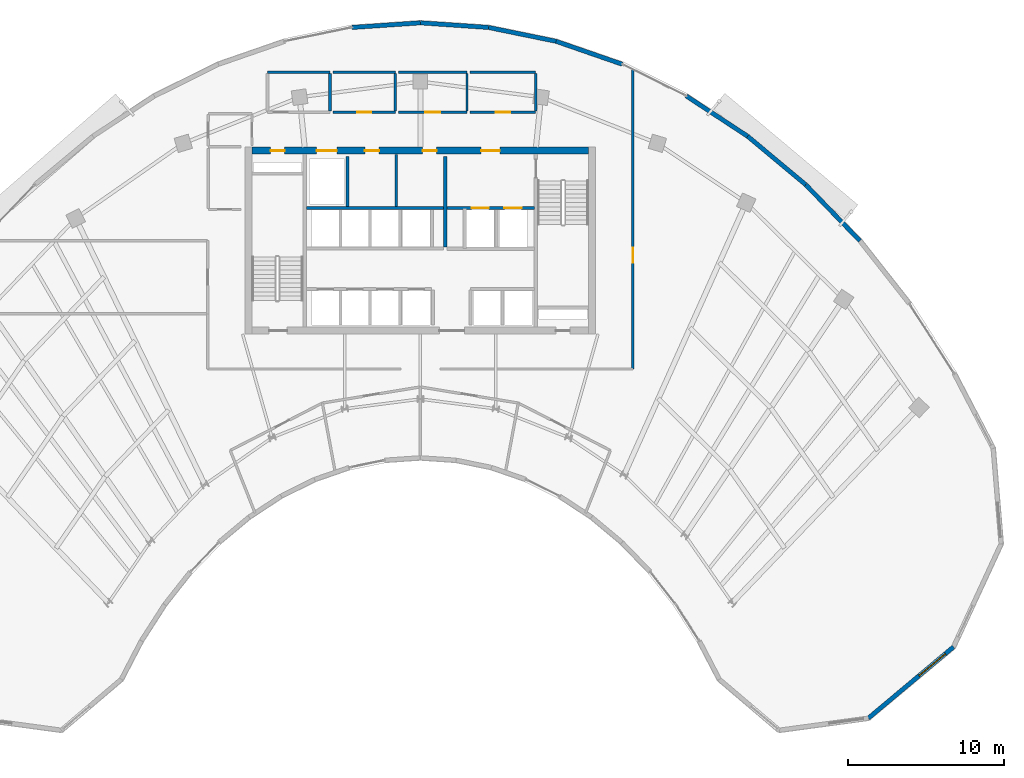
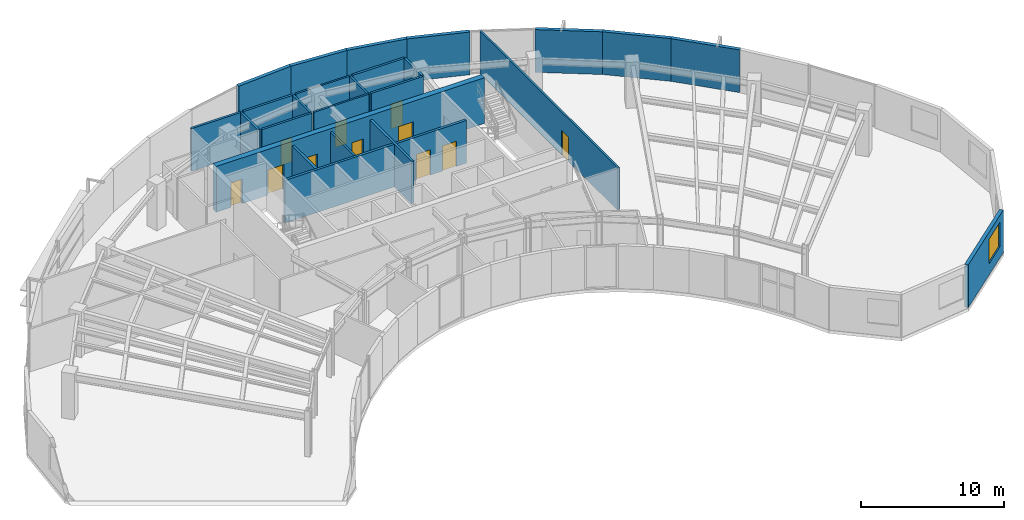
# One storey, part 10 of 13: 26 walls, 11 doors, 1 window, 12 openings.
"""IFC4 building model written with IfcOpenShell, lengths in metres."""

from ifc_helpers import new_model, si_unit, direction, frame, frame_2d, origin, place, context, subcontext, project, spatial, rectangle, extrude, source, transform, mapped, material, layer, layer_set, type_object, type_shapes, element, fill, save


model = new_model("IFC4")

# Units and contexts
model_context = context("Model", 3, precision=1e-05, world=origin(), true_north=direction((0.0, 1.0)))
body_context = subcontext(model_context, "Body", "Model", "MODEL_VIEW")
ifc_project = project(units=[si_unit("LENGTHUNIT", "METRE"), si_unit("AREAUNIT", "SQUARE_METRE"), si_unit("VOLUMEUNIT", "CUBIC_METRE"), si_unit("PLANEANGLEUNIT", "RADIAN"), si_unit("MASSUNIT", "GRAM", prefix="KILO")], contexts=[model_context])

# Site, building, storey
site_placement = place(None, origin())
site = spatial("IfcSite", under=ifc_project, at=site_placement, CompositionType="ELEMENT")
building_placement = place(site_placement, origin())
building = spatial("IfcBuilding", under=site, at=building_placement, Name="Breltana Convention Tower", CompositionType="ELEMENT")
storey_placement = place(building_placement, frame((0.0, 0.0, 204.0)))
storey = spatial("IfcBuildingStorey", under=building, at=storey_placement, Name="L49", CompositionType="ELEMENT", Elevation=204.0)

# Wall, openings, doors
ifc_material_1 = material(Name="Concrete C60/75", Category="concrete")
ifc_layer_1 = layer(ifc_material_1, 0.449951171875, Name="Concrete C60/75")
ifc_layer_set_1 = layer_set([ifc_layer_1], Name="Concrete C60/75")
wall_type_1 = type_object("IfcWallType", Name="SW-CORE-450", PredefinedType="SHEAR", material=ifc_layer_set_1)
shared_shape_1 = source(origin(), body_context, "Body", "SweptSolid", [
    extrude(rectangle(XDim=21.60009765625, YDim=0.449951171875, at=frame_2d((10.800048828125, 0.0))), origin(), (0.0, 0.0, 1.0), 3.89990234375),
])
wall_1_placement = place(storey_placement, frame((37.199951171875, 71.97509765625, 0.0), z_axis=(0.0, 0.0, 1.0), x_axis=(1.0, 0.0, 0.0)))
wall_1 = element("IfcWall", 1, at=wall_1_placement, inside=storey, type_object=wall_type_1, Name="L49 North Core Shear Wall", PredefinedType="SHEAR", context=body_context, shape_type="MappedRepresentation", body=[
    mapped(shared_shape_1, transform((0.0, 0.0, 0.0), scale=1.0)),
])
opening_1_placement = place(wall_1_placement, frame((1.199951171875, 0.0, 0.0)))
opening_1 = element("IfcOpeningElement", 2, at=opening_1_placement, cuts=wall_1, Name="Opening D-18", PredefinedType="OPENING", context=body_context, shape_type="SweptSolid", body=[
    extrude(rectangle(XDim=0.89990234375, YDim=2.10009765625, at=frame_2d((0.449951171875, 1.050048828125))), frame((0.0, 0.23486328125, 0.0), z_axis=(0.0, -1.0, 0.0), x_axis=(1.0, 0.0, 0.0)), (0.0, 0.0, 1.0), 0.469970703125),
])
opening_2_placement = place(wall_1_placement, frame((14.699951171875, 0.0, 0.0)))
opening_2 = element("IfcOpeningElement", 3, at=opening_2_placement, cuts=wall_1, Name="Opening D-09", PredefinedType="OPENING", context=body_context, shape_type="SweptSolid", body=[
    extrude(rectangle(XDim=1.199951171875, YDim=2.14990234375, at=frame_2d((0.60009765625, 1.074951171875))), frame((0.0, 0.23486328125, 0.0), z_axis=(0.0, -1.0, 0.0), x_axis=(1.0, 0.0, 0.0)), (0.0, 0.0, 1.0), 0.469970703125),
])
opening_3_placement = place(wall_1_placement, frame((4.14990234375, 0.0, 0.0)))
opening_3 = element("IfcOpeningElement", 4, at=opening_3_placement, cuts=wall_1, Name="Opening LD-01", PredefinedType="OPENING", context=body_context, shape_type="SweptSolid", body=[
    extrude(rectangle(XDim=1.300048828125, YDim=2.14990234375, at=frame_2d((0.64990234375, 1.074951171875))), frame((0.0, 0.23486328125, 0.0), z_axis=(0.0, -1.0, 0.0), x_axis=(1.0, 0.0, 0.0)), (0.0, 0.0, 1.0), 0.469970703125),
])
opening_4_placement = place(wall_1_placement, frame((7.25, 0.0, 0.0)))
opening_4 = element("IfcOpeningElement", 5, at=opening_4_placement, cuts=wall_1, Name="Opening D-18", PredefinedType="OPENING", context=body_context, shape_type="SweptSolid", body=[
    extrude(rectangle(XDim=0.89990234375, YDim=2.10009765625, at=frame_2d((0.449951171875, 1.050048828125))), frame((0.0, 0.23486328125, 0.0), z_axis=(0.0, -1.0, 0.0), x_axis=(1.0, 0.0, 0.0)), (0.0, 0.0, 1.0), 0.469970703125),
])
opening_5_placement = place(wall_1_placement, frame((10.949951171875, 0.0, 0.0)))
opening_5 = element("IfcOpeningElement", 6, at=opening_5_placement, cuts=wall_1, Name="Opening D-18", PredefinedType="OPENING", context=body_context, shape_type="SweptSolid", body=[
    extrude(rectangle(XDim=0.89990234375, YDim=2.10009765625, at=frame_2d((0.449951171875, 1.050048828125))), frame((0.0, 0.23486328125, 0.0), z_axis=(0.0, -1.0, 0.0), x_axis=(1.0, 0.0, 0.0)), (0.0, 0.0, 1.0), 0.469970703125),
])
ifc_material_2 = material(Name="Steel Riser Fire Door", Category="steel")
door_type_1 = type_object("IfcDoorType", Name="DR-FD60-900", OperationType="NOTDEFINED", PredefinedType="DOOR", material=ifc_material_2)
shared_shape_2 = source(origin(), body_context, "Body", "SweptSolid", [
    extrude(rectangle(XDim=0.89990234375, YDim=2.10009765625, at=frame_2d((0.449951171875, 1.050048828125))), frame((0.0, 0.02490234375, 0.0), z_axis=(0.0, -1.0, 0.0), x_axis=(1.0, 0.0, 0.0)), (0.0, 0.0, 1.0), 0.050048828125),
])
type_shapes(door_type_1, [shared_shape_2])
door_1_placement = place(opening_1_placement, origin())
door_1 = element("IfcDoor", 7, at=door_1_placement, inside=storey, type_object=door_type_1, Name="L49 Core Riser Access Door D-L49-RS1", OperationType="SINGLE_SWING_LEFT", OverallHeight=2.10009765625, OverallWidth=0.89990234375, PredefinedType="DOOR", context=body_context, shape_type="MappedRepresentation", body=[
    mapped(shared_shape_2, transform((0.0, 0.0, 0.0), scale=1.0)),
])
fill(opening_1, door_1)
door_2_placement = place(opening_4_placement, origin())
door_2 = element("IfcDoor", 8, at=door_2_placement, inside=storey, type_object=door_type_1, Name="L49 interior door D-L49-CRA1", OperationType="SINGLE_SWING_LEFT", OverallHeight=2.10009765625, OverallWidth=0.89990234375, PredefinedType="DOOR", context=body_context, shape_type="MappedRepresentation", body=[
    mapped(shared_shape_2, transform((0.0, 0.0, 0.0), scale=1.0)),
])
fill(opening_4, door_2)
door_3_placement = place(opening_5_placement, origin())
door_3 = element("IfcDoor", 9, at=door_3_placement, inside=storey, type_object=door_type_1, Name="L49 interior door D-L49-CRA2", OperationType="SINGLE_SWING_RIGHT", OverallHeight=2.10009765625, OverallWidth=0.89990234375, PredefinedType="DOOR", context=body_context, shape_type="MappedRepresentation", body=[
    mapped(shared_shape_2, transform((0.0, 0.0, 0.0), scale=1.0)),
])
fill(opening_5, door_3)
ifc_material_3 = material(Name="Steel Fire Lobby Door", Category="steel")
door_type_2 = type_object("IfcDoorType", Name="DR-FD120-1200", OperationType="NOTDEFINED", PredefinedType="DOOR", material=ifc_material_3)
shared_shape_3 = source(origin(), body_context, "Body", "SweptSolid", [
    extrude(rectangle(XDim=1.199951171875, YDim=2.14990234375, at=frame_2d((0.60009765625, 1.074951171875))), frame((0.0, 0.02490234375, 0.0), z_axis=(0.0, -1.0, 0.0), x_axis=(1.0, 0.0, 0.0)), (0.0, 0.0, 1.0), 0.050048828125),
])
type_shapes(door_type_2, [shared_shape_3])
door_4_placement = place(opening_2_placement, origin())
door_4 = element("IfcDoor", 10, at=door_4_placement, inside=storey, type_object=door_type_2, Name="L49 interior door D-L49-FFL-N", OperationType="SINGLE_SWING_RIGHT", OverallHeight=2.14990234375, OverallWidth=1.199951171875, PredefinedType="DOOR", context=body_context, shape_type="MappedRepresentation", body=[
    mapped(shared_shape_3, transform((0.0, 0.0, 0.0), scale=1.0)),
])
fill(opening_2, door_4)
ifc_material_4 = material(Name="Stainless Steel Brushed", Category="steel")
door_type_3 = type_object("IfcDoorType", Name="DR-LD-SRV-1300", OperationType="DOUBLE_DOOR_SLIDING", PredefinedType="DOOR", material=ifc_material_4)
shared_shape_4 = source(origin(), body_context, "Body", "SweptSolid", [
    extrude(rectangle(XDim=1.300048828125, YDim=2.14990234375, at=frame_2d((0.64990234375, 1.074951171875))), frame((0.0, 0.02490234375, 0.0), z_axis=(0.0, -1.0, 0.0), x_axis=(1.0, 0.0, 0.0)), (0.0, 0.0, 1.0), 0.050048828125),
])
type_shapes(door_type_3, [shared_shape_4])
door_5_placement = place(opening_3_placement, origin())
door_5 = element("IfcDoor", 11, at=door_5_placement, inside=storey, type_object=door_type_3, Name="L49 Lift Landing Door D-L49-LD-SV1", OperationType="DOUBLE_DOOR_SLIDING", OverallHeight=2.14990234375, OverallWidth=1.300048828125, PredefinedType="DOOR", context=body_context, shape_type="MappedRepresentation", body=[
    mapped(shared_shape_4, transform((0.0, 0.0, 0.0), scale=1.0)),
])
fill(opening_3, door_5)

# Wall, opening, window
ifc_material_5 = material(Name="Limestone Buff Insulated Wall", Category="masonry")
ifc_layer_2 = layer(ifc_material_5, 0.280029296875, Name="Limestone Buff Insulated Wall")
ifc_layer_set_2 = layer_set([ifc_layer_2], Name="Limestone Buff Insulated Wall")
wall_type_2 = type_object("IfcWallType", Name="WL-EXT-NOSE-280", PredefinedType="SOLIDWALL", material=ifc_layer_set_2)
shared_shape_5 = source(origin(), body_context, "Body", "SweptSolid", [
    extrude(rectangle(XDim=7.11962890625, YDim=0.280029296875, at=frame_2d((3.559814453125, 0.0))), origin(), (0.0, 0.0, 1.0), 3.639892578125),
])
wall_2_placement = place(storey_placement, frame((82.208251953125, 40.130615234375, 0.0), z_axis=(0.0, 0.0, 1.0), x_axis=(-0.766709783564, -0.641993853387, 0.0)))
wall_2 = element("IfcWall", 12, at=wall_2_placement, inside=storey, type_object=wall_type_2, Name="L49 curved limestone nose wall E3", PredefinedType="SOLIDWALL", context=body_context, shape_type="MappedRepresentation", body=[
    mapped(shared_shape_5, transform((0.0, 0.0, 0.0), scale=1.0)),
])
opening_6_placement = place(wall_2_placement, frame((0.679931640625, 0.0, 0.949951171875)))
opening_6 = element("IfcOpeningElement", 13, at=opening_6_placement, cuts=wall_2, Name="Opening W-03", PredefinedType="OPENING", context=body_context, shape_type="SweptSolid", body=[
    extrude(rectangle(XDim=2.199951171875, YDim=2.10009765625, at=frame_2d((1.10009765625, 1.050048828125))), frame((0.0, 0.14990234375, 0.0), z_axis=(0.0, -1.0, 0.0), x_axis=(1.0, 0.0, 0.0)), (0.0, 0.0, 1.0), 0.300048828125),
])
ifc_material_6 = material(Name="Glass Low-E Insulated Window", Category="glass")
window_type = type_object("IfcWindowType", Name="WN-NOSE-2200X2100", PartitioningType="TRIPLE_PANEL_VERTICAL", PredefinedType="WINDOW", material=ifc_material_6)
shared_shape_6 = source(origin(), body_context, "Body", "SweptSolid", [
    extrude(rectangle(XDim=2.199951171875, YDim=2.10009765625, at=frame_2d((1.10009765625, 1.050048828125))), frame((0.0, 0.030029296875, 0.0), z_axis=(0.0, -1.0, 0.0), x_axis=(1.0, 0.0, 0.0)), (0.0, 0.0, 1.0), 0.06005859375),
])
type_shapes(window_type, [shared_shape_6])
window_placement = place(opening_6_placement, origin())
window = element("IfcWindow", 14, at=window_placement, inside=storey, type_object=window_type, Name="L49 nose window E3", OverallHeight=2.10009765625, OverallWidth=2.199951171875, PartitioningType="TRIPLE_PANEL_VERTICAL", PredefinedType="WINDOW", context=body_context, shape_type="MappedRepresentation", body=[
    mapped(shared_shape_6, transform((0.0, 0.0, 0.0), scale=1.0)),
])
fill(opening_6, window)

# Walls
shared_shape_7 = source(origin(), body_context, "Body", "SweptSolid", [
    extrude(rectangle(XDim=4.851806640625, YDim=0.280029296875, at=frame_2d((2.42578125, 0.0))), origin(), (0.0, 0.0, 1.0), 3.639892578125),
])
wall_3_placement = place(storey_placement, frame((69.006103515625, 72.8955078125, 0.0), z_axis=(0.0, 0.0, 1.0), x_axis=(0.767936605821, -0.640525853843, 0.0)))
element("IfcWall", 15, at=wall_3_placement, inside=storey, type_object=wall_type_2, Name="L49 curved limestone nose wall E30", PredefinedType="SOLIDWALL", context=body_context, shape_type="MappedRepresentation", body=[
    mapped(shared_shape_7, transform((0.0, 0.0, 0.0), scale=1.0)),
])
shared_shape_8 = source(origin(), body_context, "Body", "SweptSolid", [
    extrude(rectangle(XDim=4.712646484375, YDim=0.280029296875, at=frame_2d((2.3564453125, 0.0))), origin(), (0.0, 0.0, 1.0), 3.639892578125),
])
wall_4_placement = place(storey_placement, frame((65.06640625, 75.481689453125, 0.0), z_axis=(0.0, 0.0, 1.0), x_axis=(0.835974386457, -0.548768462275, 0.0)))
element("IfcWall", 16, at=wall_4_placement, inside=storey, type_object=wall_type_2, Name="L49 curved limestone nose wall E29", PredefinedType="SOLIDWALL", context=body_context, shape_type="MappedRepresentation", body=[
    mapped(shared_shape_8, transform((0.0, 0.0, 0.0), scale=1.0)),
])
shared_shape_9 = source(origin(), body_context, "Body", "SweptSolid", [
    extrude(rectangle(XDim=4.4921875, YDim=0.280029296875, at=frame_2d((2.24609375, 0.0))), origin(), (0.0, 0.0, 1.0), 3.639892578125),
])
wall_5_placement = place(storey_placement, frame((56.708984375, 78.9912109375, 0.0), z_axis=(0.0, 0.0, 1.0), x_axis=(0.944872297412, -0.32743906545, 0.0)))
element("IfcWall", 17, at=wall_5_placement, inside=storey, type_object=wall_type_2, Name="L49 curved limestone nose wall E28", PredefinedType="SOLIDWALL", context=body_context, shape_type="MappedRepresentation", body=[
    mapped(shared_shape_9, transform((0.0, 0.0, 0.0), scale=1.0)),
])
shared_shape_10 = source(origin(), body_context, "Body", "SweptSolid", [
    extrude(rectangle(XDim=4.38671875, YDim=0.280029296875, at=frame_2d((2.193359375, 0.0))), origin(), (0.0, 0.0, 1.0), 3.639892578125),
])
for number, where, z_axis, x_axis, name in (
    (18, (43.623291015625, 79.87939453125, 0.0), (0.0, 0.0, 1.0), (0.997703650546, 0.06773053733, 0.0), "L49 curved limestone nose wall E25"),
    (19, (48.0, 80.176513671875, 0.0), (0.0, 0.0, 1.0), (0.997703650546, -0.06773053733, 0.0), "L49 curved limestone nose wall E26"),
):
    element("IfcWall", number, at=place(storey_placement, frame(where, z_axis=z_axis, x_axis=x_axis)), inside=storey, type_object=wall_type_2, Name=name, PredefinedType="SOLIDWALL", context=body_context, shape_type="MappedRepresentation", body=[
        mapped(shared_shape_10, transform((0.0, 0.0, 0.0), scale=1.0)),
    ])
shared_shape_11 = source(origin(), body_context, "Body", "SweptSolid", [
    extrude(rectangle(XDim=4.42236328125, YDim=0.280029296875, at=frame_2d((2.211181640625, 0.0))), origin(), (0.0, 0.0, 1.0), 3.639892578125),
])
wall_6_placement = place(storey_placement, frame((52.376708984375, 79.87939453125, 0.0), z_axis=(0.0, 0.0, 1.0), x_axis=(0.979624428875, -0.200838189476, 0.0)))
element("IfcWall", 20, at=wall_6_placement, inside=storey, type_object=wall_type_2, Name="L49 curved limestone nose wall E27", PredefinedType="SOLIDWALL", context=body_context, shape_type="MappedRepresentation", body=[
    mapped(shared_shape_11, transform((0.0, 0.0, 0.0), scale=1.0)),
])
shared_shape_12 = source(origin(), body_context, "Body", "SweptSolid", [
    extrude(rectangle(XDim=5.000732421875, YDim=0.280029296875, at=frame_2d((2.50048828125, 0.0))), origin(), (0.0, 0.0, 1.0), 3.639892578125),
])
wall_7_placement = place(storey_placement, frame((72.73193359375, 69.787841796875, 0.0), z_axis=(0.0, 0.0, 1.0), x_axis=(0.694572731818, -0.719422490762, 0.0)))
element("IfcWall", 21, at=wall_7_placement, inside=storey, type_object=wall_type_2, Name="L49 curved limestone nose wall E31", PredefinedType="SOLIDWALL", context=body_context, shape_type="MappedRepresentation", body=[
    mapped(shared_shape_12, transform((0.0, 0.0, 0.0), scale=1.0)),
])

# Wall, openings, doors
ifc_material_7 = material(Name="Autoclaved Aerated Concrete Block", Category="concrete")
ifc_layer_3 = layer(ifc_material_7, 0.199951171875, Name="Autoclaved Aerated Concrete Block")
ifc_layer_set_3 = layer_set([ifc_layer_3], Name="Autoclaved Aerated Concrete Block")
wall_type_3 = type_object("IfcWallType", Name="WL-SHAFT-200", PredefinedType="SOLIDWALL", material=ifc_layer_set_3)
shared_shape_13 = source(origin(), body_context, "Body", "SweptSolid", [
    extrude(rectangle(XDim=5.6201171875, YDim=0.199951171875, at=frame_2d((2.81005859375, 0.0))), origin(), (0.0, 0.0, 1.0), 3.639892578125),
])
wall_8_placement = place(storey_placement, frame((49.699951171875, 68.300048828125, 0.0), z_axis=(0.0, 0.0, 1.0), x_axis=(1.0, 0.0, 0.0)))
wall_8 = element("IfcWall", 22, at=wall_8_placement, inside=storey, type_object=wall_type_3, Name="L49 interior partition W-L49-FFL-S", PredefinedType="SOLIDWALL", context=body_context, shape_type="MappedRepresentation", body=[
    mapped(shared_shape_13, transform((0.0, 0.0, 0.0), scale=1.0)),
])
opening_7_placement = place(wall_8_placement, frame((1.60009765625, 0.0, 0.0)))
opening_7 = element("IfcOpeningElement", 23, at=opening_7_placement, cuts=wall_8, Name="Opening LD-03", PredefinedType="OPENING", context=body_context, shape_type="SweptSolid", body=[
    extrude(rectangle(XDim=1.10009765625, YDim=2.14990234375, at=frame_2d((0.550048828125, 1.074951171875))), frame((0.0, 0.10986328125, 0.0), z_axis=(0.0, -1.0, 0.0), x_axis=(1.0, 0.0, 0.0)), (0.0, 0.0, 1.0), 0.219970703125),
])
opening_8_placement = place(wall_8_placement, frame((3.699951171875, 0.0, 0.0)))
opening_8 = element("IfcOpeningElement", 24, at=opening_8_placement, cuts=wall_8, Name="Opening LD-03", PredefinedType="OPENING", context=body_context, shape_type="SweptSolid", body=[
    extrude(rectangle(XDim=1.10009765625, YDim=2.14990234375, at=frame_2d((0.550048828125, 1.074951171875))), frame((0.0, 0.10986328125, 0.0), z_axis=(0.0, -1.0, 0.0), x_axis=(1.0, 0.0, 0.0)), (0.0, 0.0, 1.0), 0.219970703125),
])
door_type_4 = type_object("IfcDoorType", Name="DR-LD-FF-1100", OperationType="DOUBLE_DOOR_SLIDING", PredefinedType="DOOR", material=ifc_material_4)
shared_shape_14 = source(origin(), body_context, "Body", "SweptSolid", [
    extrude(rectangle(XDim=1.10009765625, YDim=2.14990234375, at=frame_2d((0.550048828125, 1.074951171875))), frame((0.0, 0.02490234375, 0.0), z_axis=(0.0, -1.0, 0.0), x_axis=(1.0, 0.0, 0.0)), (0.0, 0.0, 1.0), 0.050048828125),
])
type_shapes(door_type_4, [shared_shape_14])
door_6_placement = place(opening_7_placement, origin())
door_6 = element("IfcDoor", 25, at=door_6_placement, inside=storey, type_object=door_type_4, Name="L49 Lift Landing Door D-L49-LD-FL1", OperationType="DOUBLE_DOOR_SLIDING", OverallHeight=2.14990234375, OverallWidth=1.10009765625, PredefinedType="DOOR", context=body_context, shape_type="MappedRepresentation", body=[
    mapped(shared_shape_14, transform((0.0, 0.0, 0.0), scale=1.0)),
])
fill(opening_7, door_6)
door_7_placement = place(opening_8_placement, origin())
door_7 = element("IfcDoor", 26, at=door_7_placement, inside=storey, type_object=door_type_4, Name="L49 Lift Landing Door D-L49-LD-FL2", OperationType="DOUBLE_DOOR_SLIDING", OverallHeight=2.14990234375, OverallWidth=1.10009765625, PredefinedType="DOOR", context=body_context, shape_type="MappedRepresentation", body=[
    mapped(shared_shape_14, transform((0.0, 0.0, 0.0), scale=1.0)),
])
fill(opening_8, door_7)

# Walls
shared_shape_15 = source(origin(), body_context, "Body", "SweptSolid", [
    extrude(rectangle(XDim=5.800048828125, YDim=0.199951171875, at=frame_2d((2.89990234375, 0.0))), origin(), (0.0, 0.0, 1.0), 3.639892578125),
])
wall_9_placement = place(storey_placement, frame((49.60009765625, 65.800048828125, 0.0), z_axis=(0.0, 0.0, 1.0), x_axis=(0.0, 1.0, 0.0)))
element("IfcWall", 27, at=wall_9_placement, inside=storey, type_object=wall_type_3, Name="L49 interior partition W-L49-FFL-W", PredefinedType="SOLIDWALL", context=body_context, shape_type="MappedRepresentation", body=[
    mapped(shared_shape_15, transform((0.0, 0.0, 0.0), scale=1.0)),
])
shared_shape_16 = source(origin(), body_context, "Body", "SweptSolid", [
    extrude(rectangle(XDim=3.2001953125, YDim=0.199951171875, at=frame_2d((1.60009765625, 0.0))), origin(), (0.0, 0.0, 1.0), 3.639892578125),
])
wall_10_placement = place(storey_placement, frame((43.320068359375, 68.39990234375, 0.0), z_axis=(0.0, 0.0, 1.0), x_axis=(0.0, 1.0, 0.0)))
element("IfcWall", 28, at=wall_10_placement, inside=storey, type_object=wall_type_3, Name="L49 interior partition W-L49-SV-E", PredefinedType="SOLIDWALL", context=body_context, shape_type="MappedRepresentation", body=[
    mapped(shared_shape_16, transform((0.0, 0.0, 0.0), scale=1.0)),
])
shared_shape_17 = source(origin(), body_context, "Body", "SweptSolid", [
    extrude(rectangle(XDim=8.800048828125, YDim=0.199951171875, at=frame_2d((4.39990234375, 0.0))), origin(), (0.0, 0.0, 1.0), 3.639892578125),
])
wall_11_placement = place(storey_placement, frame((40.699951171875, 68.300048828125, 0.0), z_axis=(0.0, 0.0, 1.0), x_axis=(1.0, 0.0, 0.0)))
element("IfcWall", 29, at=wall_11_placement, inside=storey, type_object=wall_type_3, Name="L49 interior partition W-L49-SV-S", PredefinedType="SOLIDWALL", context=body_context, shape_type="MappedRepresentation", body=[
    mapped(shared_shape_17, transform((0.0, 0.0, 0.0), scale=1.0)),
])
ifc_material_8 = material(Name="Gypsum Acoustic Drywall Partition")
ifc_layer_4 = layer(ifc_material_8, 0.14990234375, Name="Gypsum Acoustic Drywall Partition")
ifc_layer_set_4 = layer_set([ifc_layer_4], Name="Gypsum Acoustic Drywall Partition")
wall_type_4 = type_object("IfcWallType", Name="WL-PART-150", PredefinedType="PARTITIONING", material=ifc_layer_set_4)
shared_shape_18 = source(origin(), body_context, "Body", "SweptSolid", [
    extrude(rectangle(XDim=3.330078125, YDim=0.14990234375, at=frame_2d((1.6650390625, 0.0))), origin(), (0.0, 0.0, 1.0), 3.639892578125),
])
wall_12_placement = place(storey_placement, frame((46.449951171875, 68.39990234375, 0.0), z_axis=(0.0, 0.0, 1.0), x_axis=(0.0, 1.0, 0.0)))
element("IfcWall", 30, at=wall_12_placement, inside=storey, type_object=wall_type_4, Name="L49 interior partition W-L49-KV-1", PredefinedType="PARTITIONING", context=body_context, shape_type="MappedRepresentation", body=[
    mapped(shared_shape_18, transform((0.0, 0.0, 0.0), scale=1.0)),
])

# Wall, opening, door
ifc_material_9 = material(Name="Cement Board Wet-Area Partition")
ifc_layer_5 = layer(ifc_material_9, 0.175048828125, Name="Cement Board Wet-Area Partition")
ifc_layer_set_5 = layer_set([ifc_layer_5], Name="Cement Board Wet-Area Partition")
wall_type_5 = type_object("IfcWallType", Name="WL-WET-175", PredefinedType="PARTITIONING", material=ifc_layer_set_5)
shared_shape_19 = source(origin(), body_context, "Body", "SweptSolid", [
    extrude(rectangle(XDim=4.0, YDim=0.175048828125, at=frame_2d((2.0, 0.0))), origin(), (0.0, 0.0, 1.0), 3.639892578125),
])
wall_13_placement = place(storey_placement, frame((42.39990234375, 74.43994140625, 0.0), z_axis=(0.0, 0.0, 1.0), x_axis=(1.0, 0.0, 0.0)))
wall_13 = element("IfcWall", 31, at=wall_13_placement, inside=storey, type_object=wall_type_5, Name="L49 interior partition W-L49-WCF-S", PredefinedType="PARTITIONING", context=body_context, shape_type="MappedRepresentation", body=[
    mapped(shared_shape_19, transform((0.0, 0.0, 0.0), scale=1.0)),
])
opening_9_placement = place(wall_13_placement, frame((1.550048828125, 0.0, 0.0)))
opening_9 = element("IfcOpeningElement", 32, at=opening_9_placement, cuts=wall_13, Name="Opening D-19", PredefinedType="OPENING", context=body_context, shape_type="SweptSolid", body=[
    extrude(rectangle(XDim=0.89990234375, YDim=2.080078125, at=frame_2d((0.449951171875, 1.0400390625))), frame((0.0, 0.09765625, 0.0), z_axis=(0.0, -1.0, 0.0), x_axis=(1.0, 0.0, 0.0)), (0.0, 0.0, 1.0), 0.195068359375),
])
ifc_material_10 = material(Name="Timber Moisture-Resistant Door", Category="wood")
door_type_5 = type_object("IfcDoorType", Name="DR-WC-900", OperationType="NOTDEFINED", PredefinedType="DOOR", material=ifc_material_10)
shared_shape_20 = source(origin(), body_context, "Body", "SweptSolid", [
    extrude(rectangle(XDim=0.89990234375, YDim=2.080078125, at=frame_2d((0.449951171875, 1.0400390625))), frame((0.0, 0.02490234375, 0.0), z_axis=(0.0, -1.0, 0.0), x_axis=(1.0, 0.0, 0.0)), (0.0, 0.0, 1.0), 0.050048828125),
])
type_shapes(door_type_5, [shared_shape_20])
door_8_placement = place(opening_9_placement, origin())
door_8 = element("IfcDoor", 33, at=door_8_placement, inside=storey, type_object=door_type_5, Name="L49 interior door D-L49-WCF", OperationType="SINGLE_SWING_RIGHT", OverallHeight=2.080078125, OverallWidth=0.89990234375, PredefinedType="DOOR", context=body_context, shape_type="MappedRepresentation", body=[
    mapped(shared_shape_20, transform((0.0, 0.0, 0.0), scale=1.0)),
])
fill(opening_9, door_8)

# Walls
ifc_material_11 = material(Name="Moisture-Resistant Gypsum Chase Wall")
ifc_layer_6 = layer(ifc_material_11, 0.179931640625, Name="Moisture-Resistant Gypsum Chase Wall")
ifc_layer_set_6 = layer_set([ifc_layer_6], Name="Moisture-Resistant Gypsum Chase Wall")
wall_type_6 = type_object("IfcWallType", Name="WL-PLUMB-180", PredefinedType="PLUMBINGWALL", material=ifc_layer_set_6)
shared_shape_21 = source(origin(), body_context, "Body", "SweptSolid", [
    extrude(rectangle(XDim=4.0, YDim=0.179931640625, at=frame_2d((2.0, 0.0))), origin(), (0.0, 0.0, 1.0), 3.639892578125),
])
for number, where, z_axis, x_axis, name in (
    (34, (38.199951171875, 77.0, 0.0), (0.0, 0.0, 1.0), (1.0, 0.0, 0.0), "L49 interior partition W-L49-WCM-N"),
    (35, (42.39990234375, 77.0, 0.0), (0.0, 0.0, 1.0), (1.0, 0.0, 0.0), "L49 interior partition W-L49-WCF-N"),
):
    element("IfcWall", number, at=place(storey_placement, frame(where, z_axis=z_axis, x_axis=x_axis)), inside=storey, type_object=wall_type_6, Name=name, PredefinedType="PLUMBINGWALL", context=body_context, shape_type="MappedRepresentation", body=[
        mapped(shared_shape_21, transform((0.0, 0.0, 0.0), scale=1.0)),
    ])
shared_shape_22 = source(origin(), body_context, "Body", "SweptSolid", [
    extrude(rectangle(XDim=2.402587890625, YDim=0.175048828125, at=frame_2d((1.201171875, 0.0))), origin(), (0.0, 0.0, 1.0), 3.639892578125),
])
for number, where, z_axis, x_axis, name in (
    (36, (42.199951171875, 74.518798828125, 0.0), (0.0, 0.0, 1.0), (0.0, 1.0, 0.0), "L49 interior partition W-L49-WCM-E"),
    (37, (46.39990234375, 74.518798828125, 0.0), (0.0, 0.0, 1.0), (0.0, 1.0, 0.0), "L49 interior partition W-L49-WCF-E"),
    (38, (55.39990234375, 74.518798828125, 0.0), (0.0, 0.0, 1.0), (0.0, 1.0, 0.0), "L49 interior partition W-L49-WCA-E"),
):
    element("IfcWall", number, at=place(storey_placement, frame(where, z_axis=z_axis, x_axis=x_axis)), inside=storey, type_object=wall_type_5, Name=name, PredefinedType="PARTITIONING", context=body_context, shape_type="MappedRepresentation", body=[
        mapped(shared_shape_22, transform((0.0, 0.0, 0.0), scale=1.0)),
    ])

# Wall, opening, door
shared_shape_23 = source(origin(), body_context, "Body", "SweptSolid", [
    extrude(rectangle(XDim=4.39990234375, YDim=0.14990234375, at=frame_2d((2.199951171875, 0.0))), origin(), (0.0, 0.0, 1.0), 3.639892578125),
])
wall_14_placement = place(storey_placement, frame((46.60009765625, 74.43994140625, 0.0), z_axis=(0.0, 0.0, 1.0), x_axis=(1.0, 0.0, 0.0)))
wall_14 = element("IfcWall", 39, at=wall_14_placement, inside=storey, type_object=wall_type_4, Name="L49 interior partition W-L49-PNT-S", PredefinedType="PARTITIONING", context=body_context, shape_type="MappedRepresentation", body=[
    mapped(shared_shape_23, transform((0.0, 0.0, 0.0), scale=1.0)),
])
opening_10_placement = place(wall_14_placement, frame((1.72509765625, 0.0, 0.0)))
opening_10 = element("IfcOpeningElement", 40, at=opening_10_placement, cuts=wall_14, Name="Opening D-17", PredefinedType="OPENING", context=body_context, shape_type="SweptSolid", body=[
    extrude(rectangle(XDim=0.949951171875, YDim=2.10009765625, at=frame_2d((0.47509765625, 1.050048828125))), frame((0.0, 0.0849609375, 0.0), z_axis=(0.0, -1.0, 0.0), x_axis=(1.0, 0.0, 0.0)), (0.0, 0.0, 1.0), 0.169921875),
])
ifc_material_12 = material(Name="Timber Oak Veneer Door", Category="wood")
door_type_6 = type_object("IfcDoorType", Name="DR-INT-950", OperationType="NOTDEFINED", PredefinedType="DOOR", material=ifc_material_12)
shared_shape_24 = source(origin(), body_context, "Body", "SweptSolid", [
    extrude(rectangle(XDim=0.949951171875, YDim=2.10009765625, at=frame_2d((0.47509765625, 1.050048828125))), frame((0.0, 0.02490234375, 0.0), z_axis=(0.0, -1.0, 0.0), x_axis=(1.0, 0.0, 0.0)), (0.0, 0.0, 1.0), 0.050048828125),
])
type_shapes(door_type_6, [shared_shape_24])
door_9_placement = place(opening_10_placement, origin())
door_9 = element("IfcDoor", 41, at=door_9_placement, inside=storey, type_object=door_type_6, Name="L49 interior door D-L49-PNT", OperationType="SINGLE_SWING_LEFT", OverallHeight=2.10009765625, OverallWidth=0.949951171875, PredefinedType="DOOR", context=body_context, shape_type="MappedRepresentation", body=[
    mapped(shared_shape_24, transform((0.0, 0.0, 0.0), scale=1.0)),
])
fill(opening_10, door_9)

# Walls
wall_15_placement = place(storey_placement, frame((46.60009765625, 77.0, 0.0), z_axis=(0.0, 0.0, 1.0), x_axis=(1.0, 0.0, 0.0)))
element("IfcWall", 42, at=wall_15_placement, inside=storey, type_object=wall_type_4, Name="L49 interior partition W-L49-PNT-N", PredefinedType="PARTITIONING", context=body_context, shape_type="MappedRepresentation", body=[
    mapped(shared_shape_23, transform((0.0, 0.0, 0.0), scale=1.0)),
])
shared_shape_25 = source(origin(), body_context, "Body", "SweptSolid", [
    extrude(rectangle(XDim=2.425048828125, YDim=0.14990234375, at=frame_2d((1.21240234375, 0.0))), origin(), (0.0, 0.0, 1.0), 3.639892578125),
])
wall_16_placement = place(storey_placement, frame((51.0, 74.507568359375, 0.0), z_axis=(0.0, 0.0, 1.0), x_axis=(0.0, 1.0, 0.0)))
element("IfcWall", 43, at=wall_16_placement, inside=storey, type_object=wall_type_4, Name="L49 interior partition W-L49-PNT-E", PredefinedType="PARTITIONING", context=body_context, shape_type="MappedRepresentation", body=[
    mapped(shared_shape_25, transform((0.0, 0.0, 0.0), scale=1.0)),
])

# Wall, opening, door
shared_shape_26 = source(origin(), body_context, "Body", "SweptSolid", [
    extrude(rectangle(XDim=4.199951171875, YDim=0.175048828125, at=frame_2d((2.10009765625, 0.0))), origin(), (0.0, 0.0, 1.0), 3.639892578125),
])
wall_17_placement = place(storey_placement, frame((51.199951171875, 74.43994140625, 0.0), z_axis=(0.0, 0.0, 1.0), x_axis=(1.0, 0.0, 0.0)))
wall_17 = element("IfcWall", 44, at=wall_17_placement, inside=storey, type_object=wall_type_5, Name="L49 interior partition W-L49-WCA-S", PredefinedType="PARTITIONING", context=body_context, shape_type="MappedRepresentation", body=[
    mapped(shared_shape_26, transform((0.0, 0.0, 0.0), scale=1.0)),
])
opening_11_placement = place(wall_17_placement, frame((1.625, 0.0, 0.0)))
opening_11 = element("IfcOpeningElement", 45, at=opening_11_placement, cuts=wall_17, Name="Opening D-16", PredefinedType="OPENING", context=body_context, shape_type="SweptSolid", body=[
    extrude(rectangle(XDim=0.949951171875, YDim=2.1201171875, at=frame_2d((0.47509765625, 1.06005859375))), frame((0.0, 0.09765625, 0.0), z_axis=(0.0, -1.0, 0.0), x_axis=(1.0, 0.0, 0.0)), (0.0, 0.0, 1.0), 0.195068359375),
])
ifc_material_13 = material(Name="Timber Laminate Accessible Door", Category="wood")
door_type_7 = type_object("IfcDoorType", Name="DR-ACC-950", OperationType="NOTDEFINED", PredefinedType="DOOR", material=ifc_material_13)
shared_shape_27 = source(origin(), body_context, "Body", "SweptSolid", [
    extrude(rectangle(XDim=0.949951171875, YDim=2.1201171875, at=frame_2d((0.47509765625, 1.06005859375))), frame((0.0, 0.02490234375, 0.0), z_axis=(0.0, -1.0, 0.0), x_axis=(1.0, 0.0, 0.0)), (0.0, 0.0, 1.0), 0.050048828125),
])
type_shapes(door_type_7, [shared_shape_27])
door_10_placement = place(opening_11_placement, origin())
door_10 = element("IfcDoor", 46, at=door_10_placement, inside=storey, type_object=door_type_7, Name="L49 interior door D-L49-WCA", OperationType="SINGLE_SWING_RIGHT", OverallHeight=2.1201171875, OverallWidth=0.949951171875, PredefinedType="DOOR", context=body_context, shape_type="MappedRepresentation", body=[
    mapped(shared_shape_27, transform((0.0, 0.0, 0.0), scale=1.0)),
])
fill(opening_11, door_10)

# Wall
shared_shape_28 = source(origin(), body_context, "Body", "SweptSolid", [
    extrude(rectangle(XDim=4.199951171875, YDim=0.179931640625, at=frame_2d((2.10009765625, 0.0))), origin(), (0.0, 0.0, 1.0), 3.639892578125),
])
wall_18_placement = place(storey_placement, frame((51.199951171875, 77.0, 0.0), z_axis=(0.0, 0.0, 1.0), x_axis=(1.0, 0.0, 0.0)))
element("IfcWall", 47, at=wall_18_placement, inside=storey, type_object=wall_type_6, Name="L49 interior partition W-L49-WCA-N", PredefinedType="PLUMBINGWALL", context=body_context, shape_type="MappedRepresentation", body=[
    mapped(shared_shape_28, transform((0.0, 0.0, 0.0), scale=1.0)),
])

# Wall, opening, door
shared_shape_29 = source(origin(), body_context, "Body", "SweptSolid", [
    extrude(rectangle(XDim=19.208740234375, YDim=0.14990234375, at=frame_2d((9.6044921875, 0.0))), origin(), (0.0, 0.0, 1.0), 3.639892578125),
])
wall_19_placement = place(storey_placement, frame((61.639892578125, 57.9599609375, 0.0), z_axis=(0.0, 0.0, 1.0), x_axis=(0.0, 1.0, 0.0)))
wall_19 = element("IfcWall", 48, at=wall_19_placement, inside=storey, type_object=wall_type_4, Name="L49 interior partition W-L49-EXE1-ENT", PredefinedType="PARTITIONING", context=body_context, shape_type="MappedRepresentation", body=[
    mapped(shared_shape_29, transform((0.0, 0.0, 0.0), scale=1.0)),
])
opening_12_placement = place(wall_19_placement, frame((6.82421875, 0.0, 0.0)))
opening_12 = element("IfcOpeningElement", 49, at=opening_12_placement, cuts=wall_19, Name="Opening D-17", PredefinedType="OPENING", context=body_context, shape_type="SweptSolid", body=[
    extrude(rectangle(XDim=0.949951171875, YDim=2.10009765625, at=frame_2d((0.47509765625, 1.050048828125))), frame((0.0, 0.0849609375, 0.0), z_axis=(0.0, -1.0, 0.0), x_axis=(1.0, 0.0, 0.0)), (0.0, 0.0, 1.0), 0.169921875),
])
door_11_placement = place(opening_12_placement, origin())
door_11 = element("IfcDoor", 50, at=door_11_placement, inside=storey, type_object=door_type_6, Name="L49 interior door D-L49-EXE1", OperationType="SINGLE_SWING_RIGHT", OverallHeight=2.10009765625, OverallWidth=0.949951171875, PredefinedType="DOOR", context=body_context, shape_type="MappedRepresentation", body=[
    mapped(shared_shape_24, transform((0.0, 0.0, 0.0), scale=1.0)),
])
fill(opening_12, door_11)

save(model, "model.ifc")
